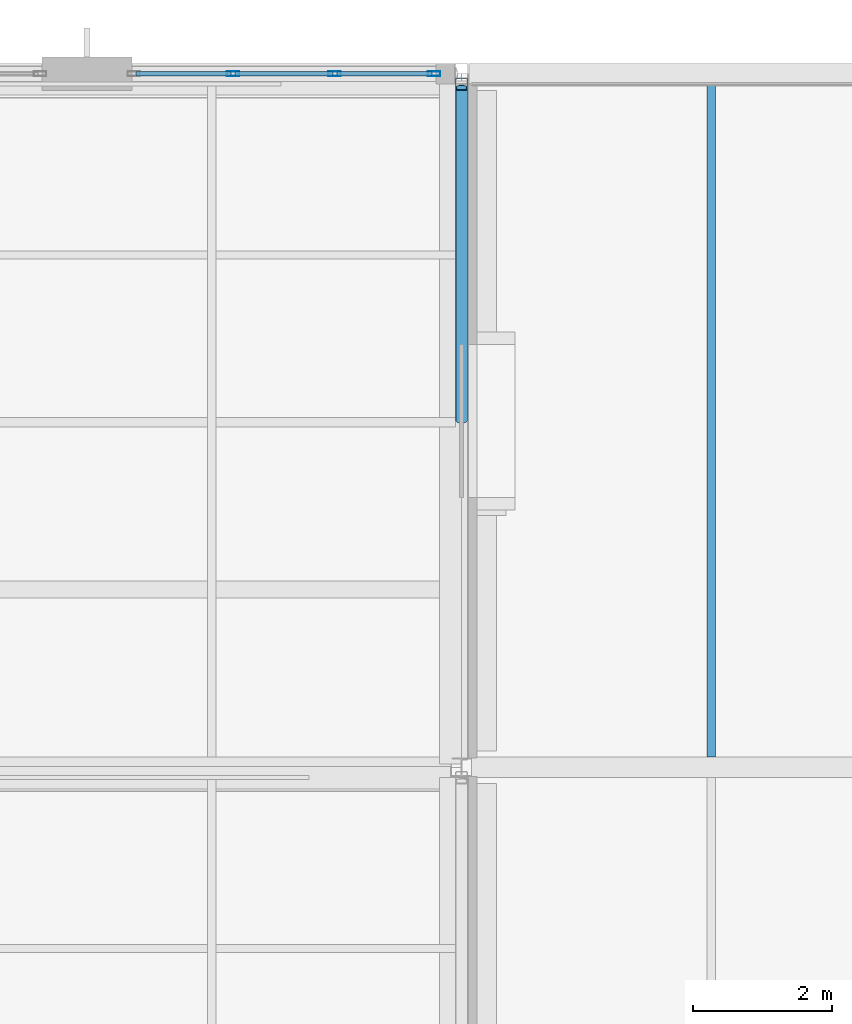
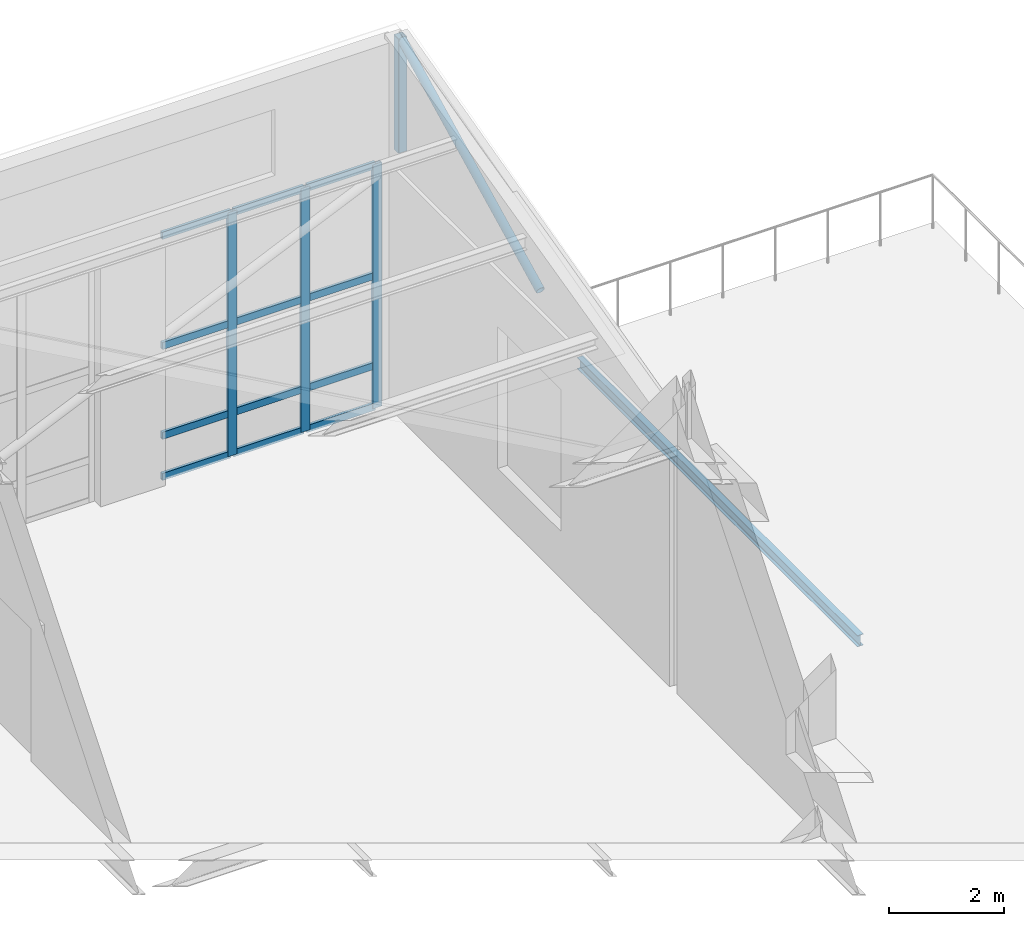
# One storey, part 30 of 49: 17 members, 1 beam, 1 element without a shape of its own.
"""IFC4 building model written with IfcOpenShell, lengths in metres."""

from ifc_helpers import new_model, si_unit, direction, frame, origin, origin_2d, place, context, subcontext, project, spatial, hollow_rectangle, hollow_circle, i_section, extrude, material, layer, layer_set, material_profile, profile_set, type_object, element, aggregate, save


model = new_model("IFC4")

# Units and contexts
model_context = context("Model", 3, precision=1e-05, world=origin(), true_north=direction((0.0, 1.0)))
body_context = subcontext(model_context, "Body", "Model", "MODEL_VIEW")
ifc_project = project(units=[si_unit("LENGTHUNIT", "METRE"), si_unit("AREAUNIT", "SQUARE_METRE"), si_unit("VOLUMEUNIT", "CUBIC_METRE"), si_unit("PLANEANGLEUNIT", "RADIAN"), si_unit("MASSUNIT", "GRAM", prefix="KILO")], contexts=[model_context])

# Site, building, storey
site_placement = place(None, origin())
site = spatial("IfcSite", under=ifc_project, at=site_placement, CompositionType="ELEMENT")
building_placement = place(site_placement, origin())
building = spatial("IfcBuilding", under=site, at=building_placement, Name="Tasgan Crest Museum", CompositionType="ELEMENT")
storey_placement = place(building_placement, frame((0.0, 0.0, 28.800048828125)))
storey = spatial("IfcBuildingStorey", under=building, at=storey_placement, Name="L05", CompositionType="ELEMENT", Elevation=28.800048828125)

# Beam
ifc_material_1 = material(Name="Steel S355J2", Category="steel")
ifc_material_profile_1 = material_profile(ifc_material_1, i_section(OverallWidth=0.1201171875, OverallDepth=0.239990234375, WebThickness=0.006103515625, FlangeThickness=0.009765625, FilletRadius=0.014892578125, at=origin_2d()), Name="IPE 240")
ifc_profile_set_1 = profile_set([ifc_material_profile_1], Name="Steel S355J2")
beam_type = type_object("IfcBeamType", Name="BM-J-IPE240", PredefinedType="JOIST", material=ifc_profile_set_1)
beam_placement = place(storey_placement, frame((79.199951171875, 102.14501953125, -0.3701171875), z_axis=(0.0, 1.0, 0.0), x_axis=(-1.0, 0.0, 0.0)))
element("IfcBeam", 1, at=beam_placement, inside=storey, type_object=beam_type, Name="Secondary joist L05 X=79.2 Y=102.0-112.0", PredefinedType="JOIST", context=body_context, shape_type="SweptSolid", body=[
    extrude(i_section(OverallWidth=0.1201171875, OverallDepth=0.239990234375, WebThickness=0.006103515625, FlangeThickness=0.009765625, FilletRadius=0.014892578125, at=origin_2d()), origin(), (0.0, 0.0, 1.0), 9.7099609375),
])

# Curtain wall, members
ifc_material_2 = material(Name="Triple-Glazed Aluminium Curtain Wall", Category="aluminium")
ifc_layer = layer(ifc_material_2, 0.179931640625, Name="CW-GAL-X-54")
ifc_layer_set = layer_set([ifc_layer], Name="Triple-Glazed Aluminium Curtain Wall")
curtain_wall_type = type_object("IfcCurtainWallType", Name="CW-GAL-X-54", PredefinedType="NOTDEFINED", material=ifc_layer_set)
curtain_wall_placement = place(storey_placement, origin())
curtain_wall = element("IfcCurtainWall", 2, at=curtain_wall_placement, inside=storey, type_object=curtain_wall_type, Name="Curtain wall L05 201", PredefinedType="NOTDEFINED")
ifc_material_3 = material(Name="Anodised Aluminium", Category="aluminium")
ifc_material_profile_2 = material_profile(ifc_material_3, hollow_rectangle(XDim=0.06494140625, YDim=0.179931640625, WallThickness=0.0048828125, at=origin_2d()), Name="ALU MULLION 180x65x5")
ifc_profile_set_2 = profile_set([ifc_material_profile_2], Name="Anodised Aluminium")
member_type_1 = type_object("IfcMemberType", Name="CW-MULLION-180", PredefinedType="MULLION", material=ifc_profile_set_2)
member_1_placement = place(storey_placement, frame((75.205078125, 112.0, 0.0), z_axis=(0.0, 0.0, 1.0), x_axis=(0.0, -1.0, 0.0)))
member_1 = element("IfcMember", 3, at=member_1_placement, type_object=member_type_1, Name="CW15 mullion 1", PredefinedType="MULLION", context=body_context, shape_type="SweptSolid", body=[
    extrude(hollow_rectangle(XDim=0.06494140625, YDim=0.179931640625, WallThickness=0.0048828125, at=origin_2d()), origin(), (0.0, 0.0, 1.0), 5.159912109375),
])
member_2_placement = place(storey_placement, frame((73.771728515625, 112.0, 0.0), z_axis=(0.0, 0.0, 1.0), x_axis=(0.0, -1.0, 0.0)))
member_2 = element("IfcMember", 4, at=member_2_placement, type_object=member_type_1, Name="CW15 mullion 2", PredefinedType="MULLION", context=body_context, shape_type="SweptSolid", body=[
    extrude(hollow_rectangle(XDim=0.06494140625, YDim=0.179931640625, WallThickness=0.0048828125, at=origin_2d()), origin(), (0.0, 0.0, 1.0), 5.159912109375),
])
member_3_placement = place(storey_placement, frame((72.308349609375, 112.0, 0.0), z_axis=(0.0, 0.0, 1.0), x_axis=(0.0, -1.0, 0.0)))
member_3 = element("IfcMember", 5, at=member_3_placement, type_object=member_type_1, Name="CW15 mullion 3", PredefinedType="MULLION", context=body_context, shape_type="SweptSolid", body=[
    extrude(hollow_rectangle(XDim=0.06494140625, YDim=0.179931640625, WallThickness=0.0048828125, at=origin_2d()), origin(), (0.0, 0.0, 1.0), 5.159912109375),
])
ifc_material_4 = material(Name="Anodised Aluminium", Category="aluminium")
ifc_material_profile_3 = material_profile(ifc_material_4, hollow_rectangle(XDim=0.06005859375, YDim=0.14990234375, WallThickness=0.0048828125, at=origin_2d()), Name="ALU TRANSOM 150x60x5")
ifc_profile_set_3 = profile_set([ifc_material_profile_3], Name="Anodised Aluminium")
member_type_2 = type_object("IfcMemberType", Name="CW-TRANSOM-150", PredefinedType="USERDEFINED", material=ifc_profile_set_3)
member_4_placement = place(storey_placement, frame((75.175048828125, 112.0, 0.030029296875), z_axis=(-1.0, 0.0, 0.0), x_axis=(0.0, -1.0, 0.0)))
member_4 = element("IfcMember", 6, at=member_4_placement, type_object=member_type_2, Name="CW15 transom 1.1", ObjectType="TRANSOM", PredefinedType="USERDEFINED", context=body_context, shape_type="SweptSolid", body=[
    extrude(hollow_rectangle(XDim=0.06005859375, YDim=0.14990234375, WallThickness=0.0048828125, at=origin_2d()), origin(), (0.0, 0.0, 1.0), 1.373291015625),
])
member_5_placement = place(storey_placement, frame((75.175048828125, 112.0, 0.89990234375), z_axis=(-1.0, 0.0, 0.0), x_axis=(0.0, -1.0, 0.0)))
member_5 = element("IfcMember", 7, at=member_5_placement, type_object=member_type_2, Name="CW15 transom 1.2", ObjectType="TRANSOM", PredefinedType="USERDEFINED", context=body_context, shape_type="SweptSolid", body=[
    extrude(hollow_rectangle(XDim=0.06005859375, YDim=0.14990234375, WallThickness=0.0048828125, at=origin_2d()), origin(), (0.0, 0.0, 1.0), 1.373291015625),
])
member_6_placement = place(storey_placement, frame((75.175048828125, 112.0, 2.800048828125), z_axis=(-1.0, 0.0, 0.0), x_axis=(0.0, -1.0, 0.0)))
member_6 = element("IfcMember", 8, at=member_6_placement, type_object=member_type_2, Name="CW15 transom 1.3", ObjectType="TRANSOM", PredefinedType="USERDEFINED", context=body_context, shape_type="SweptSolid", body=[
    extrude(hollow_rectangle(XDim=0.06005859375, YDim=0.14990234375, WallThickness=0.0048828125, at=origin_2d()), origin(), (0.0, 0.0, 1.0), 1.373291015625),
])
member_7_placement = place(storey_placement, frame((75.175048828125, 112.0, 5.1298828125), z_axis=(-1.0, 0.0, 0.0), x_axis=(0.0, -1.0, 0.0)))
member_7 = element("IfcMember", 9, at=member_7_placement, type_object=member_type_2, Name="CW15 transom 1.4", ObjectType="TRANSOM", PredefinedType="USERDEFINED", context=body_context, shape_type="SweptSolid", body=[
    extrude(hollow_rectangle(XDim=0.06005859375, YDim=0.14990234375, WallThickness=0.0048828125, at=origin_2d()), origin(), (0.0, 0.0, 1.0), 1.373291015625),
])
member_8_placement = place(storey_placement, frame((73.74169921875, 112.0, 0.030029296875), z_axis=(-1.0, 0.0, 0.0), x_axis=(0.0, -1.0, 0.0)))
member_8 = element("IfcMember", 10, at=member_8_placement, type_object=member_type_2, Name="CW15 transom 2.1", ObjectType="TRANSOM", PredefinedType="USERDEFINED", context=body_context, shape_type="SweptSolid", body=[
    extrude(hollow_rectangle(XDim=0.06005859375, YDim=0.14990234375, WallThickness=0.0048828125, at=origin_2d()), origin(), (0.0, 0.0, 1.0), 1.4033203125),
])
member_9_placement = place(storey_placement, frame((73.74169921875, 112.0, 0.89990234375), z_axis=(-1.0, 0.0, 0.0), x_axis=(0.0, -1.0, 0.0)))
member_9 = element("IfcMember", 11, at=member_9_placement, type_object=member_type_2, Name="CW15 transom 2.2", ObjectType="TRANSOM", PredefinedType="USERDEFINED", context=body_context, shape_type="SweptSolid", body=[
    extrude(hollow_rectangle(XDim=0.06005859375, YDim=0.14990234375, WallThickness=0.0048828125, at=origin_2d()), origin(), (0.0, 0.0, 1.0), 1.4033203125),
])
member_10_placement = place(storey_placement, frame((73.74169921875, 112.0, 2.800048828125), z_axis=(-1.0, 0.0, 0.0), x_axis=(0.0, -1.0, 0.0)))
member_10 = element("IfcMember", 12, at=member_10_placement, type_object=member_type_2, Name="CW15 transom 2.3", ObjectType="TRANSOM", PredefinedType="USERDEFINED", context=body_context, shape_type="SweptSolid", body=[
    extrude(hollow_rectangle(XDim=0.06005859375, YDim=0.14990234375, WallThickness=0.0048828125, at=origin_2d()), origin(), (0.0, 0.0, 1.0), 1.4033203125),
])
member_11_placement = place(storey_placement, frame((73.74169921875, 112.0, 5.1298828125), z_axis=(-1.0, 0.0, 0.0), x_axis=(0.0, -1.0, 0.0)))
member_11 = element("IfcMember", 13, at=member_11_placement, type_object=member_type_2, Name="CW15 transom 2.4", ObjectType="TRANSOM", PredefinedType="USERDEFINED", context=body_context, shape_type="SweptSolid", body=[
    extrude(hollow_rectangle(XDim=0.06005859375, YDim=0.14990234375, WallThickness=0.0048828125, at=origin_2d()), origin(), (0.0, 0.0, 1.0), 1.4033203125),
])
member_12_placement = place(storey_placement, frame((72.2783203125, 112.0, 0.030029296875), z_axis=(-1.0, 0.0, 0.0), x_axis=(0.0, -1.0, 0.0)))
member_12 = element("IfcMember", 14, at=member_12_placement, type_object=member_type_2, Name="CW15 transom 3.1", ObjectType="TRANSOM", PredefinedType="USERDEFINED", context=body_context, shape_type="SweptSolid", body=[
    extrude(hollow_rectangle(XDim=0.06005859375, YDim=0.14990234375, WallThickness=0.0048828125, at=origin_2d()), origin(), (0.0, 0.0, 1.0), 1.373291015625),
])
member_13_placement = place(storey_placement, frame((72.2783203125, 112.0, 0.89990234375), z_axis=(-1.0, 0.0, 0.0), x_axis=(0.0, -1.0, 0.0)))
member_13 = element("IfcMember", 15, at=member_13_placement, type_object=member_type_2, Name="CW15 transom 3.2", ObjectType="TRANSOM", PredefinedType="USERDEFINED", context=body_context, shape_type="SweptSolid", body=[
    extrude(hollow_rectangle(XDim=0.06005859375, YDim=0.14990234375, WallThickness=0.0048828125, at=origin_2d()), origin(), (0.0, 0.0, 1.0), 1.373291015625),
])
member_14_placement = place(storey_placement, frame((72.2783203125, 112.0, 2.800048828125), z_axis=(-1.0, 0.0, 0.0), x_axis=(0.0, -1.0, 0.0)))
member_14 = element("IfcMember", 16, at=member_14_placement, type_object=member_type_2, Name="CW15 transom 3.3", ObjectType="TRANSOM", PredefinedType="USERDEFINED", context=body_context, shape_type="SweptSolid", body=[
    extrude(hollow_rectangle(XDim=0.06005859375, YDim=0.14990234375, WallThickness=0.0048828125, at=origin_2d()), origin(), (0.0, 0.0, 1.0), 1.373291015625),
])
member_15_placement = place(storey_placement, frame((72.2783203125, 112.0, 5.1298828125), z_axis=(-1.0, 0.0, 0.0), x_axis=(0.0, -1.0, 0.0)))
member_15 = element("IfcMember", 17, at=member_15_placement, type_object=member_type_2, Name="CW15 transom 3.4", ObjectType="TRANSOM", PredefinedType="USERDEFINED", context=body_context, shape_type="SweptSolid", body=[
    extrude(hollow_rectangle(XDim=0.06005859375, YDim=0.14990234375, WallThickness=0.0048828125, at=origin_2d()), origin(), (0.0, 0.0, 1.0), 1.373291015625),
])
aggregate(curtain_wall, [member_1, member_2, member_3, member_4, member_5, member_6, member_7, member_8, member_9, member_10, member_11, member_12, member_13, member_14, member_15])

# Members
ifc_material_5 = material(Name="Steel S355K2", Category="steel")
ifc_material_profile_4 = material_profile(ifc_material_5, hollow_circle(Radius=0.084228515625, WallThickness=0.008056640625, at=origin_2d()), Name="CHS 168.3x8")
ifc_profile_set_4 = profile_set([ifc_material_profile_4], Name="Steel S355K2")
member_type_3 = type_object("IfcMemberType", Name="TR-SAW-DIAG", PredefinedType="BRACE", material=ifc_profile_set_4)
member_16_placement = place(storey_placement, frame((75.60009765625, 107.0, 5.349853515625), z_axis=(0.0, 0.894418092416, 0.447231792205), x_axis=(-1.0, 0.0, 0.0)))
element("IfcMember", 18, at=member_16_placement, inside=storey, type_object=member_type_3, Name="Roof truss diagonal B3 8", PredefinedType="BRACE", context=body_context, shape_type="SweptSolid", body=[
    extrude(hollow_circle(Radius=0.084228515625, WallThickness=0.008056640625, at=origin_2d()), origin(), (0.0, 0.0, 1.0), 5.36669921875),
])
ifc_material_6 = material(Name="Steel S355K2", Category="steel")
ifc_material_profile_5 = material_profile(ifc_material_6, hollow_rectangle(XDim=0.179931640625, YDim=0.179931640625, WallThickness=0.010009765625, InnerFilletRadius=0.010009765625, OuterFilletRadius=0.02001953125, at=origin_2d()), Name="SHS 180x180x10")
ifc_profile_set_5 = profile_set([ifc_material_profile_5], Name="Steel S355K2")
member_type_4 = type_object("IfcMemberType", Name="TR-SAW-POST", PredefinedType="POST", material=ifc_profile_set_5)
member_17_placement = place(storey_placement, frame((75.60009765625, 111.85009765625, 5.389892578125), z_axis=(0.0, 0.0, 1.0), x_axis=(1.0, 0.0, 0.0)))
element("IfcMember", 19, at=member_17_placement, inside=storey, type_object=member_type_4, Name="Roof truss north post B3 8", PredefinedType="POST", context=body_context, shape_type="SweptSolid", body=[
    extrude(hollow_rectangle(XDim=0.179931640625, YDim=0.179931640625, WallThickness=0.010009765625, InnerFilletRadius=0.010009765625, OuterFilletRadius=0.02001953125, at=origin_2d()), origin(), (0.0, 0.0, 1.0), 2.41015625),
])

save(model, "model.ifc")
